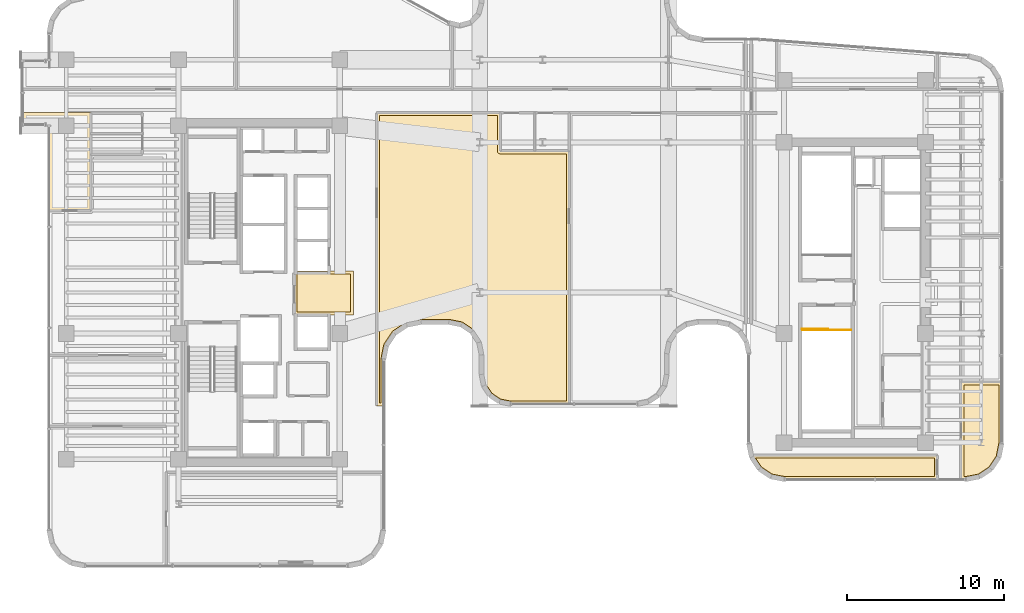
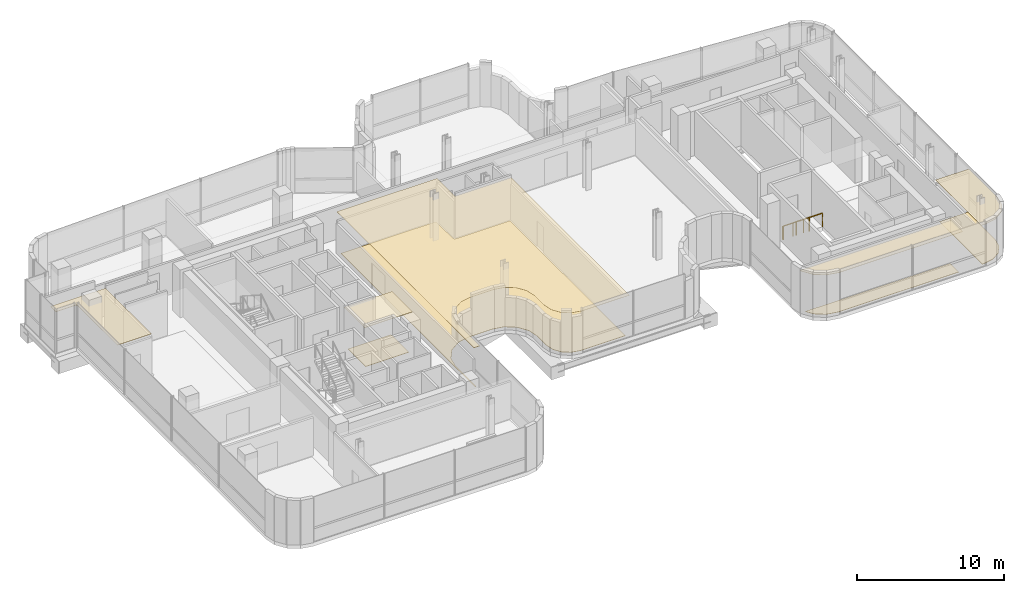
# One storey, part 33 of 35: 9 coverings, 2 railings.
"""IFC4 building model written with IfcOpenShell, lengths in metres."""

from ifc_helpers import new_model, si_unit, direction, frame, origin, origin_2d, place, context, subcontext, project, spatial, polyline, circle, outline, extrude, material, layer, layer_set, type_object, element, save


model = new_model("IFC4")

# Units and contexts
model_context = context("Model", 3, precision=1e-05, world=origin(), true_north=direction((0.0, 1.0)))
body_context = subcontext(model_context, "Body", "Model", "MODEL_VIEW")
ifc_project = project(units=[si_unit("LENGTHUNIT", "METRE"), si_unit("AREAUNIT", "SQUARE_METRE"), si_unit("VOLUMEUNIT", "CUBIC_METRE"), si_unit("PLANEANGLEUNIT", "RADIAN"), si_unit("MASSUNIT", "GRAM", prefix="KILO")], contexts=[model_context])

# Site, building, storey
site_placement = place(None, origin())
site = spatial("IfcSite", under=ifc_project, at=site_placement, CompositionType="ELEMENT")
building_placement = place(site_placement, origin())
building = spatial("IfcBuilding", under=site, at=building_placement, Name="Valdorenza Pilgrim Sanctuary Tower", CompositionType="ELEMENT")
storey_placement = place(building_placement, frame((0.0, 0.0, 192.35009765625)))
storey = spatial("IfcBuildingStorey", under=building, at=storey_placement, Name="L49", CompositionType="ELEMENT", Elevation=192.35009765625)

# Coverings
ifc_material_1 = material(Name="Micro-perforated acoustic mineral ceiling tile", Category="gypsum")
ifc_layer_1 = layer(ifc_material_1, 0.02490234375, Name="Micro-perforated acoustic mineral ceiling tile")
ifc_layer_set_1 = layer_set([ifc_layer_1], Name="Micro-perforated acoustic mineral ceiling tile")
covering_type_1 = type_object("IfcCoveringType", Name="COV-CLG-ACU", PredefinedType="CEILING", material=ifc_layer_set_1)
covering_1_placement = place(storey_placement, frame((0.0, 0.0, 3.409912109375)))
element("IfcCovering", 1, at=covering_1_placement, inside=storey, type_object=covering_type_1, Name="L49 Core A Passenger Lift Lobby Acoustic Ceiling", PredefinedType="CEILING", context=body_context, shape_type="SweptSolid", body=[
    extrude(outline(polyline([(-15.31298828125, 1.244384765625), (-15.31298828125, 1.24462890625), (-15.313720703125, 1.24609375), (-15.314208984375, 1.24755859375), (-15.314697265625, 1.2490234375), (-15.31494140625, 1.25048828125), (-15.31494140625, 1.251953125), (-15.31494140625, 1.35009765625), (-15.31494140625, 1.3515625), (-15.314697265625, 1.352783203125), (-15.314453125, 1.3544921875), (-15.31396484375, 1.355712890625), (-15.313232421875, 1.357177734375), (-15.3125, 1.3583984375), (-15.3115234375, 1.359619140625), (-15.310546875, 1.360595703125), (-15.3095703125, 1.361572265625), (-15.308349609375, 1.362548828125), (-15.30712890625, 1.36328125), (-15.3056640625, 1.364013671875), (-15.304443359375, 1.364501953125), (-15.302978515625, 1.36474609375), (-15.301513671875, 1.364990234375), (-15.300048828125, 1.364990234375), (-15.10205078125, 1.364990234375), (-15.1005859375, 1.364990234375), (-15.09912109375, 1.36474609375), (-15.097412109375, 1.3642578125), (-15.09619140625, 1.36376953125), (-15.0947265625, 1.363037109375), (-15.094482421875, 1.363037109375), (-13.185546875, 1.363037109375), (-13.185302734375, 1.363037109375), (-13.183837890625, 1.36376953125), (-13.1826171875, 1.3642578125), (-13.180908203125, 1.36474609375), (-13.179443359375, 1.364990234375), (-13.177978515625, 1.364990234375), (-11.550048828125, 1.364990234375), (-11.548583984375, 1.364990234375), (-11.547119140625, 1.36474609375), (-11.545654296875, 1.364501953125), (-11.544189453125, 1.364013671875), (-11.54296875, 1.36328125), (-11.541748046875, 1.362548828125), (-11.54052734375, 1.361572265625), (-11.539306640625, 1.360595703125), (-11.538330078125, 1.359619140625), (-11.53759765625, 1.3583984375), (-11.536865234375, 1.357177734375), (-11.5361328125, 1.355712890625), (-11.53564453125, 1.3544921875), (-11.535400390625, 1.352783203125), (-11.53515625, 1.3515625), (-11.534912109375, 1.35009765625), (-11.534912109375, -1.419921875), (-11.53515625, -1.42138671875), (-11.535400390625, -1.4228515625), (-11.53564453125, -1.42431640625), (-11.5361328125, -1.42578125), (-11.536865234375, -1.427001953125), (-11.53759765625, -1.42822265625), (-11.538330078125, -1.429443359375), (-11.539306640625, -1.4306640625), (-11.54052734375, -1.431640625), (-11.541748046875, -1.4326171875), (-11.54296875, -1.43310546875), (-11.544189453125, -1.433837890625), (-11.545654296875, -1.434326171875), (-11.547119140625, -1.434814453125), (-11.548583984375, -1.434814453125), (-11.550048828125, -1.43505859375), (-15.298095703125, -1.43505859375), (-15.299560546875, -1.434814453125), (-15.30078125, -1.434814453125), (-15.302490234375, -1.434326171875), (-15.3037109375, -1.433837890625), (-15.30517578125, -1.43310546875), (-15.306396484375, -1.4326171875), (-15.3076171875, -1.431640625), (-15.30859375, -1.4306640625), (-15.3095703125, -1.429443359375), (-15.310546875, -1.42822265625), (-15.311279296875, -1.427001953125), (-15.31201171875, -1.42578125), (-15.3125, -1.42431640625), (-15.312744140625, -1.4228515625), (-15.31298828125, -1.42138671875), (-15.31298828125, -1.419921875), (-15.31298828125, 1.244384765625)])), origin(), (0.0, 0.0, 1.0), 0.02490234375),
])
covering_2_placement = place(storey_placement, frame((0.0, 0.0, 3.409912109375)))
element("IfcCovering", 2, at=covering_2_placement, inside=storey, type_object=covering_type_1, Name="L49 North Contemplation Lounge L49 Acoustic Ceiling", PredefinedType="CEILING", context=body_context, shape_type="SweptSolid", body=[
    extrude(outline(polyline([(-28.237060546875, 8.805419921875), (-28.23681640625, 8.805419921875), (-28.236083984375, 8.803955078125), (-28.235595703125, 8.802490234375), (-28.2353515625, 8.801025390625), (-28.235107421875, 8.799560546875), (-28.235107421875, 8.798095703125), (-28.235107421875, 5.199951171875), (-28.235107421875, 5.198486328125), (-28.2353515625, 5.197021484375), (-28.235595703125, 5.195556640625), (-28.236083984375, 5.1943359375), (-28.23681640625, 5.19287109375), (-28.237548828125, 5.191650390625), (-28.23828125, 5.1904296875), (-28.239501953125, 5.189453125), (-28.240478515625, 5.1884765625), (-28.24169921875, 5.1875), (-28.242919921875, 5.186767578125), (-28.244384765625, 5.18603515625), (-28.24560546875, 5.185546875), (-28.2470703125, 5.185302734375), (-28.24853515625, 5.18505859375), (-28.25, 5.18505859375), (-30.889892578125, 5.18505859375), (-30.8916015625, 5.18505859375), (-30.892822265625, 5.185302734375), (-30.894287109375, 5.185546875), (-30.895751953125, 5.18603515625), (-30.897216796875, 5.186767578125), (-30.898193359375, 5.1875), (-30.8994140625, 5.1884765625), (-30.900634765625, 5.189453125), (-30.901611328125, 5.1904296875), (-30.902587890625, 5.191650390625), (-30.9033203125, 5.19287109375), (-30.90380859375, 5.1943359375), (-30.904296875, 5.195556640625), (-30.90478515625, 5.197021484375), (-30.90478515625, 5.198486328125), (-30.905029296875, 5.199951171875), (-30.905029296875, 10.599609375), (-30.905517578125, 10.609375), (-30.90673828125, 10.618408203125), (-30.9091796875, 10.627685546875), (-30.912109375, 10.63623046875), (-30.916259765625, 10.644775390625), (-30.9208984375, 10.65283203125), (-30.926513671875, 10.660400390625), (-30.932861328125, 10.667236328125), (-30.939697265625, 10.67333984375), (-30.947265625, 10.678955078125), (-30.955078125, 10.683837890625), (-30.963623046875, 10.687744140625), (-30.972412109375, 10.69091796875), (-30.9814453125, 10.693115234375), (-30.99072265625, 10.694580078125), (-31.00048828125, 10.695068359375), (-32.5400390625, 10.695068359375), (-32.54150390625, 10.695068359375), (-32.54296875, 10.6953125), (-32.54443359375, 10.695556640625), (-32.545654296875, 10.696044921875), (-32.547119140625, 10.69677734375), (-32.54833984375, 10.697509765625), (-32.549560546875, 10.698486328125), (-32.550537109375, 10.699462890625), (-32.551513671875, 10.700439453125), (-32.552490234375, 10.70166015625), (-32.55322265625, 10.702880859375), (-32.553955078125, 10.704345703125), (-32.554443359375, 10.70556640625), (-32.5546875, 10.70703125), (-32.554931640625, 10.70849609375), (-32.554931640625, 10.7099609375), (-32.554931640625, 11.419921875), (-32.554931640625, 11.42138671875), (-32.5546875, 11.4228515625), (-32.554443359375, 11.42431640625), (-32.553955078125, 11.42578125), (-32.55322265625, 11.427001953125), (-32.552490234375, 11.42822265625), (-32.551513671875, 11.429443359375), (-32.550537109375, 11.4306640625), (-32.549560546875, 11.431640625), (-32.54833984375, 11.4326171875), (-32.547119140625, 11.43310546875), (-32.545654296875, 11.433837890625), (-32.54443359375, 11.434326171875), (-32.54296875, 11.434814453125), (-32.54150390625, 11.434814453125), (-32.5400390625, 11.43505859375), (-28.25, 11.43505859375), (-28.24853515625, 11.434814453125), (-28.2470703125, 11.434814453125), (-28.24560546875, 11.434326171875), (-28.244384765625, 11.433837890625), (-28.242919921875, 11.43310546875), (-28.24169921875, 11.4326171875), (-28.240478515625, 11.431640625), (-28.239501953125, 11.4306640625), (-28.23828125, 11.429443359375), (-28.237548828125, 11.42822265625), (-28.23681640625, 11.427001953125), (-28.236083984375, 11.42578125), (-28.235595703125, 11.42431640625), (-28.2353515625, 11.4228515625), (-28.235107421875, 11.42138671875), (-28.235107421875, 11.419921875), (-28.235107421875, 11.402099609375), (-28.235107421875, 11.400390625), (-28.2353515625, 11.39892578125), (-28.235595703125, 11.3974609375), (-28.236083984375, 11.39599609375), (-28.23681640625, 11.394775390625), (-28.237060546875, 11.39453125), (-28.237060546875, 10.103759765625), (-28.23681640625, 10.10302734375), (-28.23681640625, 10.1015625), (-28.23681640625, 10.10009765625), (-28.23681640625, 10.098388671875), (-28.237060546875, 10.09814453125), (-28.237060546875, 8.805419921875)])), origin(), (0.0, 0.0, 1.0), 0.02490234375),
])
covering_3_placement = place(storey_placement, frame((0.0, 0.0, 3.409912109375)))
element("IfcCovering", 3, at=covering_3_placement, inside=storey, type_object=covering_type_1, Name="L49 Congregational Prayer Hall Acoustic Ceiling", PredefinedType="CEILING", context=body_context, shape_type="SweptSolid", body=[
    extrude(outline(polyline([(-10.06494140625, 11.419921875), (-10.06494140625, 11.42138671875), (-10.064697265625, 11.4228515625), (-10.064453125, 11.42431640625), (-10.06396484375, 11.42578125), (-10.063232421875, 11.427001953125), (-10.0625, 11.42822265625), (-10.0615234375, 11.429443359375), (-10.060546875, 11.4306640625), (-10.0595703125, 11.431640625), (-10.058349609375, 11.4326171875), (-10.05712890625, 11.43310546875), (-10.0556640625, 11.433837890625), (-10.054443359375, 11.434326171875), (-10.052978515625, 11.434814453125), (-10.051513671875, 11.434814453125), (-10.050048828125, 11.43505859375), (-2.201904296875, 11.43505859375), (-2.200439453125, 11.434814453125), (-2.19921875, 11.434814453125), (-2.197509765625, 11.434326171875), (-2.1962890625, 11.433837890625), (-2.19482421875, 11.43310546875), (-2.193603515625, 11.4326171875), (-2.1923828125, 11.431640625), (-2.19140625, 11.4306640625), (-2.1904296875, 11.429443359375), (-2.189453125, 11.42822265625), (-2.188720703125, 11.427001953125), (-2.18798828125, 11.42578125), (-2.1875, 11.42431640625), (-2.187255859375, 11.4228515625), (-2.18701171875, 11.42138671875), (-2.18701171875, 11.419921875), (-2.18701171875, 9.012939453125), (-0.001708984375, 9.012939453125), (-0.001220703125, 9.01318359375), (0.00048828125, 9.01318359375), (0.001953125, 9.01318359375), (0.00341796875, 9.01318359375), (0.00390625, 9.012939453125), (2.199951171875, 9.012939453125), (2.201416015625, 9.012939453125), (2.202880859375, 9.0126953125), (2.204345703125, 9.012451171875), (2.205810546875, 9.011962890625), (2.20703125, 9.01123046875), (2.208251953125, 9.010498046875), (2.20947265625, 9.009521484375), (2.210693359375, 9.008544921875), (2.211669921875, 9.007568359375), (2.21240234375, 9.00634765625), (2.213134765625, 9.005126953125), (2.2138671875, 9.003662109375), (2.21435546875, 9.00244140625), (2.214599609375, 9.0009765625), (2.21484375, 8.99951171875), (2.215087890625, 8.998046875), (2.215087890625, -7.090087890625), (2.21484375, -7.091552734375), (2.214599609375, -7.093017578125), (2.21435546875, -7.094482421875), (2.2138671875, -7.095703125), (2.213134765625, -7.09716796875), (2.21240234375, -7.098388671875), (2.211669921875, -7.099609375), (2.210693359375, -7.1005859375), (2.20947265625, -7.1015625), (2.208251953125, -7.1025390625), (2.20703125, -7.103271484375), (2.205810546875, -7.10400390625), (2.204345703125, -7.1044921875), (2.202880859375, -7.104736328125), (2.201416015625, -7.10498046875), (2.199951171875, -7.10498046875), (-1.51318359375, -7.10498046875), (-1.5146484375, -7.10498046875), (-1.51611328125, -7.104736328125), (-2.240234375, -6.960693359375), (-2.24169921875, -6.960205078125), (-2.242919921875, -6.959716796875), (-2.244384765625, -6.959228515625), (-2.24560546875, -6.95849609375), (-2.85009765625, -6.554443359375), (-2.851318359375, -6.553466796875), (-2.8525390625, -6.552490234375), (-2.853515625, -6.551513671875), (-2.8544921875, -6.55029296875), (-3.258544921875, -5.945556640625), (-3.25927734375, -5.9443359375), (-3.259765625, -5.943115234375), (-3.26025390625, -5.941650390625), (-3.2607421875, -5.940185546875), (-3.40478515625, -5.216064453125), (-3.40478515625, -5.214599609375), (-3.405029296875, -5.213134765625), (-3.405029296875, -3.976318359375), (-3.405517578125, -3.966796875), (-3.406982421875, -3.95703125), (-3.55712890625, -3.20166015625), (-3.5595703125, -3.192138671875), (-3.5625, -3.183349609375), (-3.566650390625, -3.175048828125), (-3.571533203125, -3.166748046875), (-3.99951171875, -2.5263671875), (-4.00537109375, -2.5185546875), (-4.01171875, -2.51171875), (-4.0185546875, -2.50537109375), (-4.0263671875, -2.49951171875), (-4.666748046875, -2.071533203125), (-4.675048828125, -2.066650390625), (-4.683349609375, -2.0625), (-4.692138671875, -2.0595703125), (-4.70166015625, -2.05712890625), (-5.45703125, -1.906982421875), (-5.466796875, -1.905517578125), (-5.476318359375, -1.905029296875), (-7.219482421875, -1.905029296875), (-7.229248046875, -1.905517578125), (-7.239013671875, -1.906982421875), (-8.110595703125, -2.080322265625), (-8.1201171875, -2.082763671875), (-8.12890625, -2.085693359375), (-8.13720703125, -2.08984375), (-8.1455078125, -2.0947265625), (-8.884765625, -2.588623046875), (-8.892578125, -2.594482421875), (-8.8994140625, -2.6005859375), (-8.905517578125, -2.607421875), (-8.911376953125, -2.615234375), (-9.4052734375, -3.3544921875), (-9.41015625, -3.36279296875), (-9.414306640625, -3.37109375), (-9.417236328125, -3.3798828125), (-9.419677734375, -3.389404296875), (-9.593017578125, -4.260986328125), (-9.594482421875, -4.270751953125), (-9.594970703125, -4.280517578125), (-9.594970703125, -7.199951171875), (-9.59521484375, -7.201416015625), (-9.59521484375, -7.202880859375), (-9.595703125, -7.204345703125), (-9.59619140625, -7.205810546875), (-9.5966796875, -7.20703125), (-9.597412109375, -7.208251953125), (-9.598388671875, -7.20947265625), (-9.599365234375, -7.210693359375), (-9.6005859375, -7.211669921875), (-9.601806640625, -7.21240234375), (-9.602783203125, -7.213134765625), (-9.604248046875, -7.2138671875), (-9.605712890625, -7.21435546875), (-9.607177734375, -7.214599609375), (-9.6083984375, -7.21484375), (-9.610107421875, -7.215087890625), (-10.050048828125, -7.215087890625), (-10.051513671875, -7.21484375), (-10.052978515625, -7.214599609375), (-10.054443359375, -7.21435546875), (-10.0556640625, -7.2138671875), (-10.05712890625, -7.213134765625), (-10.058349609375, -7.21240234375), (-10.0595703125, -7.211669921875), (-10.060546875, -7.210693359375), (-10.0615234375, -7.20947265625), (-10.0625, -7.208251953125), (-10.063232421875, -7.20703125), (-10.06396484375, -7.205810546875), (-10.064453125, -7.204345703125), (-10.064697265625, -7.202880859375), (-10.06494140625, -7.201416015625), (-10.06494140625, -7.199951171875), (-10.06494140625, 11.419921875)])), origin(), (0.0, 0.0, 1.0), 0.02490234375),
])
covering_4_placement = place(storey_placement, frame((0.0, 0.0, 3.409912109375)))
element("IfcCovering", 4, at=covering_4_placement, inside=storey, type_object=covering_type_1, Name="L49 Sacred Manuscript Archive L49-BS Acoustic Ceiling", PredefinedType="CEILING", context=body_context, shape_type="SweptSolid", body=[
    extrude(outline(polyline([(25.614990234375, -11.889892578125), (25.614990234375, -11.8916015625), (25.61474609375, -11.892822265625), (25.614501953125, -11.894287109375), (25.614013671875, -11.895751953125), (25.61328125, -11.897216796875), (25.612548828125, -11.898193359375), (25.611572265625, -11.8994140625), (25.610595703125, -11.900634765625), (25.609619140625, -11.901611328125), (25.6083984375, -11.902587890625), (25.607177734375, -11.9033203125), (25.605712890625, -11.90380859375), (25.6044921875, -11.904296875), (25.602783203125, -11.90478515625), (25.6015625, -11.90478515625), (25.60009765625, -11.905029296875), (15.910888671875, -11.905029296875), (15.909423828125, -11.90478515625), (15.907958984375, -11.90478515625), (15.021484375, -11.728515625), (15.020263671875, -11.72802734375), (15.018798828125, -11.7275390625), (15.017333984375, -11.726806640625), (15.01611328125, -11.726318359375), (14.27392578125, -11.230224609375), (14.272705078125, -11.2294921875), (14.271484375, -11.228515625), (14.2705078125, -11.227294921875), (14.269775390625, -11.22607421875), (13.773681640625, -10.48388671875), (13.773193359375, -10.482666015625), (13.7724609375, -10.481201171875), (13.77197265625, -10.479736328125), (13.771484375, -10.478515625), (13.74658203125, -10.352783203125), (13.746337890625, -10.3515625), (13.746337890625, -10.35009765625), (13.746337890625, -10.348388671875), (13.74658203125, -10.34716796875), (13.7470703125, -10.345703125), (13.74755859375, -10.34423828125), (13.748046875, -10.343017578125), (13.748779296875, -10.341796875), (13.749755859375, -10.340576171875), (13.750732421875, -10.33935546875), (13.751708984375, -10.33837890625), (13.7529296875, -10.33740234375), (13.75439453125, -10.3369140625), (13.755615234375, -10.336181640625), (13.757080078125, -10.335693359375), (13.75830078125, -10.335205078125), (13.760009765625, -10.335205078125), (13.761474609375, -10.3349609375), (25.60009765625, -10.3349609375), (25.6015625, -10.335205078125), (25.602783203125, -10.335205078125), (25.6044921875, -10.335693359375), (25.605712890625, -10.336181640625), (25.607177734375, -10.3369140625), (25.6083984375, -10.33740234375), (25.609619140625, -10.33837890625), (25.610595703125, -10.33935546875), (25.611572265625, -10.340576171875), (25.612548828125, -10.341796875), (25.61328125, -10.343017578125), (25.614013671875, -10.34423828125), (25.614501953125, -10.345703125), (25.61474609375, -10.34716796875), (25.614990234375, -10.348388671875), (25.614990234375, -10.35009765625), (25.614990234375, -11.889892578125)])), origin(), (0.0, 0.0, 1.0), 0.02490234375),
])
covering_5_placement = place(storey_placement, frame((0.0, 0.0, 3.409912109375)))
element("IfcCovering", 5, at=covering_5_placement, inside=storey, type_object=covering_type_1, Name="L49 Private Banquet Dining Room L49-EB1 Acoustic Ceiling", PredefinedType="CEILING", context=body_context, shape_type="SweptSolid", body=[
    extrude(outline(polyline([(29.68994140625, -5.67822265625), (29.69140625, -5.678466796875), (29.69287109375, -5.6787109375), (29.6943359375, -5.678955078125), (29.69580078125, -5.679443359375), (29.697021484375, -5.68017578125), (29.6982421875, -5.680908203125), (29.699462890625, -5.681640625), (29.70068359375, -5.6826171875), (29.70166015625, -5.683837890625), (29.702392578125, -5.68505859375), (29.703125, -5.686279296875), (29.703857421875, -5.6875), (29.704345703125, -5.68896484375), (29.70458984375, -5.6904296875), (29.704833984375, -5.69189453125), (29.705078125, -5.693359375), (29.705078125, -9.589111328125), (29.704833984375, -9.590576171875), (29.70458984375, -9.592041015625), (29.5283203125, -10.478515625), (29.528076171875, -10.479736328125), (29.527587890625, -10.481201171875), (29.52685546875, -10.482666015625), (29.526123046875, -10.48388671875), (29.0302734375, -11.22607421875), (29.029296875, -11.227294921875), (29.0283203125, -11.228515625), (29.02734375, -11.2294921875), (29.026123046875, -11.230224609375), (28.28369140625, -11.726318359375), (28.28271484375, -11.726806640625), (28.28125, -11.7275390625), (28.27978515625, -11.72802734375), (28.2783203125, -11.728515625), (27.39208984375, -11.90478515625), (27.390625, -11.90478515625), (27.38916015625, -11.905029296875), (27.10009765625, -11.905029296875), (27.098388671875, -11.90478515625), (27.09716796875, -11.90478515625), (27.095703125, -11.904296875), (27.09423828125, -11.90380859375), (27.093017578125, -11.9033203125), (27.091796875, -11.902587890625), (27.090576171875, -11.901611328125), (27.08935546875, -11.900634765625), (27.08837890625, -11.8994140625), (27.08740234375, -11.898193359375), (27.0869140625, -11.897216796875), (27.086181640625, -11.895751953125), (27.085693359375, -11.894287109375), (27.085205078125, -11.892822265625), (27.085205078125, -11.8916015625), (27.0849609375, -11.889892578125), (27.0849609375, -5.693359375), (27.085205078125, -5.69189453125), (27.085205078125, -5.6904296875), (27.085693359375, -5.68896484375), (27.086181640625, -5.6875), (27.0869140625, -5.686279296875), (27.08740234375, -5.68505859375), (27.08837890625, -5.683837890625), (27.08935546875, -5.6826171875), (27.090576171875, -5.681640625), (27.091796875, -5.680908203125), (27.093017578125, -5.68017578125), (27.09423828125, -5.679443359375), (27.095703125, -5.678955078125), (27.09716796875, -5.6787109375), (27.098388671875, -5.678466796875), (27.10009765625, -5.67822265625), (29.68994140625, -5.67822265625)])), origin(), (0.0, 0.0, 1.0), 0.02490234375),
])
ifc_material_2 = material(Name="Engineered European oak timber flooring", Category="wood")
ifc_layer_2 = layer(ifc_material_2, 0.02197265625, Name="Engineered European oak timber flooring")
ifc_layer_set_2 = layer_set([ifc_layer_2], Name="Engineered European oak timber flooring")
covering_type_2 = type_object("IfcCoveringType", Name="COV-FLR-OAK", PredefinedType="FLOORING", material=ifc_layer_set_2)
covering_6_placement = place(storey_placement, origin())
element("IfcCovering", 6, at=covering_6_placement, inside=storey, type_object=covering_type_2, Name="L49 Private Banquet Dining Room L49-EB1 Flooring", PredefinedType="FLOORING", context=body_context, shape_type="SweptSolid", body=[
    extrude(outline(polyline([(29.510009765625, -5.873291015625), (29.510009765625, -9.5712890625), (29.343994140625, -10.4052734375), (28.887939453125, -11.087890625), (28.205322265625, -11.544189453125), (27.371337890625, -11.7099609375), (27.280029296875, -11.7099609375), (27.280029296875, -5.873291015625), (29.510009765625, -5.873291015625)])), origin(), (0.0, 0.0, 1.0), 0.02490234375),
])
ifc_material_3 = material(Name="Honed travertine stone flooring", Category="masonry")
ifc_layer_3 = layer(ifc_material_3, 0.030029296875, Name="Honed travertine stone flooring")
ifc_layer_set_3 = layer_set([ifc_layer_3], Name="Honed travertine stone flooring")
covering_type_3 = type_object("IfcCoveringType", Name="COV-FLR-TRV", PredefinedType="FLOORING", material=ifc_layer_set_3)
covering_7_placement = place(storey_placement, origin())
element("IfcCovering", 7, at=covering_7_placement, inside=storey, type_object=covering_type_3, Name="L49 Core A Passenger Lift Lobby Flooring", PredefinedType="FLOORING", context=body_context, shape_type="SweptSolid", body=[
    extrude(outline(polyline([(-15.117919921875, 1.169189453125), (-15.10888671875, 1.168212890625), (-15.10888671875, 1.168212890625), (-15.10009765625, 1.16796875), (-13.179931640625, 1.16796875), (-13.1796875, 1.16796875), (-11.72998046875, 1.169921875), (-11.72998046875, -1.239990234375), (-15.117919921875, -1.239990234375), (-15.117919921875, 1.169189453125)])), origin(), (0.0, 0.0, 1.0), 0.02490234375),
])
covering_8_placement = place(storey_placement, origin())
element("IfcCovering", 8, at=covering_8_placement, inside=storey, type_object=covering_type_3, Name="L49 Congregational Prayer Hall Flooring", PredefinedType="FLOORING", context=body_context, shape_type="SweptSolid", body=[
    extrude(outline(polyline([(-9.8701171875, 11.239990234375), (-2.382080078125, 11.239990234375), (-2.382080078125, 9.0), (-2.3818359375, 8.9912109375), (-2.3818359375, 8.990966796875), (-2.3798828125, 8.973388671875), (-2.3798828125, 8.97314453125), (-2.376708984375, 8.955810546875), (-2.37646484375, 8.955810546875), (-2.371337890625, 8.938720703125), (-2.371337890625, 8.938720703125), (-2.364501953125, 8.92236328125), (-2.364501953125, 8.922119140625), (-2.356201171875, 8.906494140625), (-2.356201171875, 8.906494140625), (-2.34619140625, 8.8916015625), (-2.34619140625, 8.8916015625), (-2.3349609375, 8.8779296875), (-2.334716796875, 8.877685546875), (-2.322265625, 8.865234375), (-2.322021484375, 8.864990234375), (-2.30859375, 8.85400390625), (-2.308349609375, 8.853759765625), (-2.293701171875, 8.843994140625), (-2.29345703125, 8.84375), (-2.27783203125, 8.83544921875), (-2.277587890625, 8.83544921875), (-2.261474609375, 8.82861328125), (-2.26123046875, 8.82861328125), (-2.244384765625, 8.823486328125), (-2.244140625, 8.823486328125), (-2.226806640625, 8.820068359375), (-2.2265625, 8.820068359375), (-2.208984375, 8.818115234375), (-2.208740234375, 8.818115234375), (-2.199951171875, 8.818115234375), (0.0, 8.818115234375), (0.0009765625, 8.818115234375), (0.001708984375, 8.818115234375), (0.001953125, 8.818115234375), (2.02001953125, 8.818115234375), (2.02001953125, -6.909912109375), (-1.495361328125, -6.909912109375), (-2.1669921875, -6.7763671875), (-2.712158203125, -6.412109375), (-3.076416015625, -5.866943359375), (-3.2099609375, -5.1953125), (-3.2099609375, -3.97607421875), (-3.210205078125, -3.96728515625), (-3.210693359375, -3.956298828125), (-3.21240234375, -3.938720703125), (-3.214111328125, -3.927978515625), (-3.215576171875, -3.91943359375), (-3.365966796875, -3.1630859375), (-3.367919921875, -3.154541015625), (-3.37060546875, -3.14404296875), (-3.375732421875, -3.127197265625), (-3.37939453125, -3.1171875), (-3.385986328125, -3.1005859375), (-3.390625, -3.091064453125), (-3.39892578125, -3.075439453125), (-3.404541015625, -3.066162109375), (-3.4091796875, -3.05859375), (-3.837646484375, -2.417724609375), (-3.8427734375, -2.410400390625), (-3.84912109375, -2.40185546875), (-3.8603515625, -2.38818359375), (-3.86767578125, -2.380126953125), (-3.880126953125, -2.36767578125), (-3.88818359375, -2.3603515625), (-3.90185546875, -2.34912109375), (-3.910400390625, -2.3427734375), (-3.917724609375, -2.337646484375), (-4.55859375, -1.9091796875), (-4.566162109375, -1.904541015625), (-4.575439453125, -1.89892578125), (-4.591064453125, -1.890625), (-4.6005859375, -1.885986328125), (-4.6171875, -1.87939453125), (-4.627197265625, -1.875732421875), (-4.64404296875, -1.87060546875), (-4.654541015625, -1.867919921875), (-4.6630859375, -1.865966796875), (-5.41943359375, -1.715576171875), (-5.427978515625, -1.714111328125), (-5.438720703125, -1.71240234375), (-5.456298828125, -1.710693359375), (-5.46728515625, -1.710205078125), (-5.47607421875, -1.7099609375), (-7.219970703125, -1.7099609375), (-7.228759765625, -1.710205078125), (-7.239501953125, -1.710693359375), (-7.257080078125, -1.71240234375), (-7.267822265625, -1.714111328125), (-7.276611328125, -1.715576171875), (-8.149169921875, -1.88916015625), (-8.15771484375, -1.89111328125), (-8.168212890625, -1.893798828125), (-8.18505859375, -1.89892578125), (-8.1953125, -1.902587890625), (-8.211669921875, -1.9091796875), (-8.22119140625, -1.913818359375), (-8.23681640625, -1.922119140625), (-8.24609375, -1.927734375), (-8.253662109375, -1.9326171875), (-8.993408203125, -2.4267578125), (-9.00048828125, -2.431884765625), (-9.00927734375, -2.438232421875), (-9.02294921875, -2.449462890625), (-9.031005859375, -2.45654296875), (-9.04345703125, -2.468994140625), (-9.050537109375, -2.47705078125), (-9.061767578125, -2.49072265625), (-9.068115234375, -2.49951171875), (-9.0732421875, -2.506591796875), (-9.5673828125, -3.246337890625), (-9.572265625, -3.25390625), (-9.577880859375, -3.26318359375), (-9.586181640625, -3.27880859375), (-9.5908203125, -3.288330078125), (-9.597412109375, -3.3046875), (-9.60107421875, -3.31494140625), (-9.606201171875, -3.331787109375), (-9.60888671875, -3.34228515625), (-9.61083984375, -3.350830078125), (-9.784423828125, -4.223388671875), (-9.785888671875, -4.232177734375), (-9.78759765625, -4.242919921875), (-9.789306640625, -4.260498046875), (-9.789794921875, -4.271240234375), (-9.7900390625, -4.280029296875), (-9.7900390625, -7.02001953125), (-9.8701171875, -7.02001953125), (-9.8701171875, 11.239990234375)])), origin(), (0.0, 0.0, 1.0), 0.02490234375),
])
covering_9_placement = place(storey_placement, origin())
element("IfcCovering", 9, at=covering_9_placement, inside=storey, type_object=covering_type_3, Name="L49 Sacred Manuscript Archive L49-BS Flooring", PredefinedType="FLOORING", context=body_context, shape_type="SweptSolid", body=[
    extrude(outline(polyline([(14.039306640625, -10.530029296875), (25.419921875, -10.530029296875), (25.419921875, -11.7099609375), (15.9287109375, -11.7099609375), (15.0947265625, -11.544189453125), (14.412109375, -11.087890625), (14.039306640625, -10.530029296875)])), origin(), (0.0, 0.0, 1.0), 0.02490234375),
])

# Railings
ifc_material_4 = material(Name="Stainless steel Grade 316", Category="steel")
railing_type = type_object("IfcRailingType", Name="RLG-GRD-1120", PredefinedType="GUARDRAIL", material=ifc_material_4)
railing_1_placement = place(storey_placement, frame((17.02001953125, -2.3798828125, 0.0)))
element("IfcRailing", 10, at=railing_1_placement, inside=storey, type_object=railing_type, Name="L49 Stair Top-Well Safety Guardrail STB2", PredefinedType="GUARDRAIL", context=body_context, shape_type="SweptSolid", body=[
    extrude(circle(Radius=0.02392578125, at=origin_2d()), frame((0.0, 0.0, 1.1259765625), z_axis=(1.0, 0.0, 0.0), x_axis=(0.0, 1.0, 0.0)), (0.0, 0.0, 1.0), 3.070068359375),
    extrude(circle(Radius=0.02099609375, at=origin_2d()), origin(), (0.0, 0.0, 1.0), 1.101806640625),
    extrude(circle(Radius=0.02099609375, at=origin_2d()), frame((1.0234375, 0.0, 0.0)), (0.0, 0.0, 1.0), 1.101806640625),
    extrude(circle(Radius=0.02099609375, at=origin_2d()), frame((2.046630859375, 0.0, 0.0)), (0.0, 0.0, 1.0), 1.101806640625),
    extrude(circle(Radius=0.02099609375, at=origin_2d()), frame((3.070068359375, 0.0, 0.0)), (0.0, 0.0, 1.0), 1.101806640625),
])
railing_2_placement = place(storey_placement, frame((17.0, -2.330078125, 0.0)))
element("IfcRailing", 11, at=railing_2_placement, inside=storey, type_object=railing_type, Name="L49 ST-B2 top well guard 1", PredefinedType="GUARDRAIL", context=body_context, shape_type="SweptSolid", body=[
    extrude(circle(Radius=0.02392578125, at=origin_2d()), frame((0.0, 0.0, 1.076171875), z_axis=(1.0, 0.0, 0.0), x_axis=(0.0, 1.0, 0.0)), (0.0, 0.0, 1.0), 1.6298828125),
    extrude(circle(Radius=0.02099609375, at=origin_2d()), origin(), (0.0, 0.0, 1.0), 1.052001953125),
    extrude(circle(Radius=0.02099609375, at=origin_2d()), frame((0.81494140625, 0.0, 0.0)), (0.0, 0.0, 1.0), 1.052001953125),
    extrude(circle(Radius=0.02099609375, at=origin_2d()), frame((1.6298828125, 0.0, 0.0)), (0.0, 0.0, 1.0), 1.052001953125),
])

save(model, "model.ifc")
